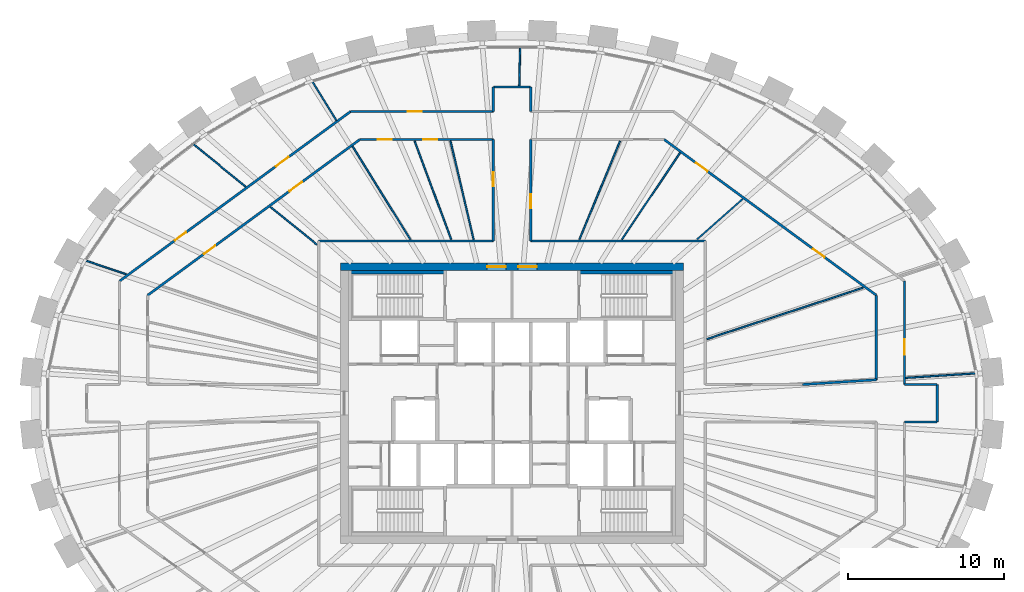
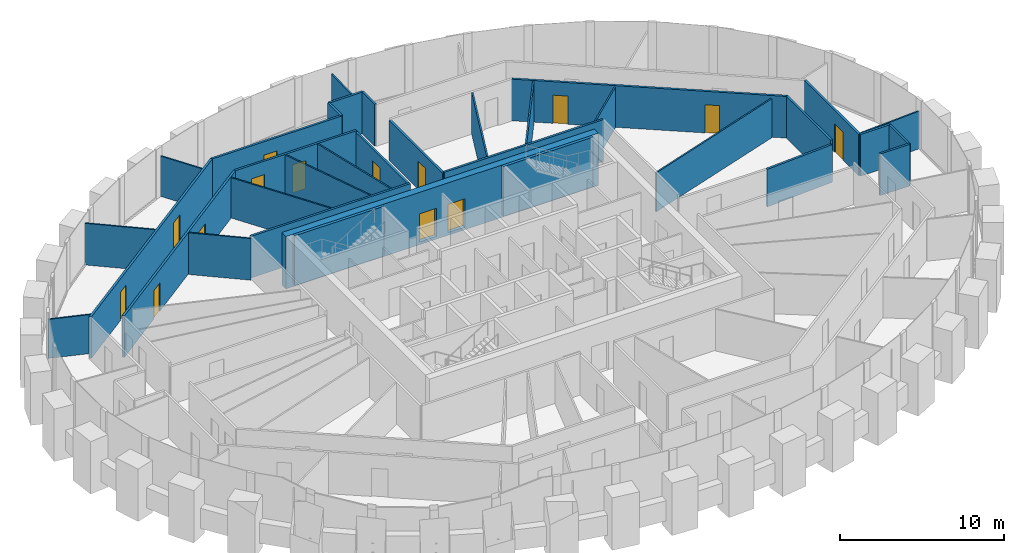
# One storey, part 10 of 12: 34 walls, 14 doors, 14 openings.
"""IFC4 building model written with IfcOpenShell, lengths in metres."""

from ifc_helpers import new_model, si_unit, direction, frame, frame_2d, origin, place, context, subcontext, project, spatial, rectangle, extrude, source, transform, mapped, material, layer, layer_set, type_object, element, fill, save


model = new_model("IFC4")

# Units and contexts
model_context = context("Model", 3, precision=1e-05, world=origin(), true_north=direction((0.0, 1.0)))
body_context = subcontext(model_context, "Body", "Model", "MODEL_VIEW")
ifc_project = project(units=[si_unit("LENGTHUNIT", "METRE"), si_unit("AREAUNIT", "SQUARE_METRE"), si_unit("VOLUMEUNIT", "CUBIC_METRE"), si_unit("PLANEANGLEUNIT", "RADIAN"), si_unit("MASSUNIT", "GRAM", prefix="KILO")], contexts=[model_context])

# Site, building, storey
site_placement = place(None, origin())
site = spatial("IfcSite", under=ifc_project, at=site_placement, CompositionType="ELEMENT")
building_placement = place(site_placement, origin())
building = spatial("IfcBuilding", under=site, at=building_placement, Name="Embergate Tower", CompositionType="ELEMENT")
storey_placement = place(building_placement, frame((0.0, 0.0, 293.5)))
storey = spatial("IfcBuildingStorey", under=building, at=storey_placement, Name="L68", CompositionType="ELEMENT", Elevation=293.5)

# Wall, openings, doors
ifc_material_1 = material(Name="Concrete C50", Category="concrete")
ifc_layer_1 = layer(ifc_material_1, 0.5)
ifc_layer_set_1 = layer_set([ifc_layer_1], Name="Concrete C50")
wall_type_1 = type_object("IfcWallType", Name="Core outer wall C50 500", PredefinedType="SHEAR", material=ifc_layer_set_1)
shared_shape_1 = source(origin(), body_context, "Body", "SweptSolid", [
    extrude(rectangle(XDim=22.0, YDim=0.5, at=frame_2d((11.0, 0.0))), origin(), (0.0, 0.0, 1.0), 3.89990234375),
])
wall_1_placement = place(storey_placement, frame((-11.0, 8.75, -0.199951171875), z_axis=(0.0, 0.0, 1.0), x_axis=(1.0, 0.0, 0.0)))
wall_1 = element("IfcWall", 1, at=wall_1_placement, inside=storey, type_object=wall_type_1, Name="CW-L68-N", PredefinedType="SHEAR", context=body_context, shape_type="MappedRepresentation", body=[
    mapped(shared_shape_1, transform((0.0, 0.0, 0.0))),
])
shared_shape_2 = source(origin(), body_context, "Body", "SweptSolid", [
    extrude(rectangle(XDim=1.199951171875, YDim=2.10009765625, at=frame_2d((0.60009765625, 1.050048828125))), frame((0.0, 0.260009765625, 0.0), z_axis=(0.0, -1.0, 0.0), x_axis=(1.0, 0.0, 0.0)), (0.0, 0.0, 1.0), 0.52001953125),
])
opening_1_placement = place(wall_1_placement, frame((9.39990234375, 0.0, 0.199951171875)))
opening_1 = element("IfcOpeningElement", 2, at=opening_1_placement, cuts=wall_1, Name="Opening IF-1", PredefinedType="OPENING", context=body_context, shape_type="MappedRepresentation", body=[
    mapped(shared_shape_2, transform((0.0, 0.0, 0.0))),
])
opening_2_placement = place(wall_1_placement, frame((11.39990234375, 0.0, 0.199951171875)))
opening_2 = element("IfcOpeningElement", 3, at=opening_2_placement, cuts=wall_1, Name="Opening IF-1", PredefinedType="OPENING", context=body_context, shape_type="MappedRepresentation", body=[
    mapped(shared_shape_2, transform((0.0, 0.0, 0.0))),
])
ifc_material_2 = material(Name="Escape fire door 1200")
door_type_1 = type_object("IfcDoorType", Name="Escape fire door 1200", OperationType="SINGLE_SWING_LEFT", PredefinedType="DOOR", material=ifc_material_2)
shared_shape_3 = source(origin(), body_context, "Body", "SweptSolid", [
    extrude(rectangle(XDim=1.199951171875, YDim=2.10009765625, at=frame_2d((0.60009765625, 1.050048828125))), frame((0.0, 0.02490234375, 0.0), z_axis=(0.0, -1.0, 0.0), x_axis=(1.0, 0.0, 0.0)), (0.0, 0.0, 1.0), 0.050048828125),
])
door_1_placement = place(opening_1_placement, origin())
door_1 = element("IfcDoor", 4, at=door_1_placement, inside=storey, type_object=door_type_1, Name="IF-1 door", OperationType="SINGLE_SWING_LEFT", OverallHeight=2.10009765625, OverallWidth=1.199951171875, PredefinedType="DOOR", context=body_context, shape_type="MappedRepresentation", body=[
    mapped(shared_shape_3, transform((0.0, 0.0, 0.0))),
])
fill(opening_1, door_1)
door_2_placement = place(opening_2_placement, origin())
door_2 = element("IfcDoor", 5, at=door_2_placement, inside=storey, type_object=door_type_1, Name="IF-1 door", OperationType="SINGLE_SWING_RIGHT", OverallHeight=2.10009765625, OverallWidth=1.199951171875, PredefinedType="DOOR", context=body_context, shape_type="MappedRepresentation", body=[
    mapped(shared_shape_3, transform((0.0, 0.0, 0.0))),
])
fill(opening_2, door_2)

# Walls
ifc_layer_2 = layer(ifc_material_1, 0.199951171875)
ifc_layer_set_2 = layer_set([ifc_layer_2], Name="Concrete C50")
wall_type_2 = type_object("IfcWallType", Name="Stair enclosure wall reinforced concrete 250", PredefinedType="SHEAR", material=ifc_layer_set_2)
shared_shape_4 = source(origin(), body_context, "Body", "SweptSolid", [
    extrude(rectangle(XDim=6.298095703125, YDim=0.199951171875, at=frame_2d((3.14892578125, 0.0))), origin(), (0.0, 0.0, 1.0), 3.699951171875),
])
for number, where, z_axis, x_axis, name in (
    (6, (-4.201904296875, 8.39990234375, 0.0), (0.0, 0.0, 1.0), (-1.0, 0.0, 0.0), "SE-1 wall"),
    (7, (10.5, 8.39990234375, 0.0), (0.0, 0.0, 1.0), (-1.0, 0.0, 0.0), "SE-1 wall"),
):
    element("IfcWall", number, at=place(storey_placement, frame(where, z_axis=z_axis, x_axis=x_axis)), inside=storey, type_object=wall_type_2, Name=name, PredefinedType="SHEAR", context=body_context, shape_type="MappedRepresentation", body=[
        mapped(shared_shape_4, transform((0.0, 0.0, 0.0))),
    ])
ifc_material_3 = material(Name="Corridor wall dry-lined 150")
ifc_layer_3 = layer(ifc_material_3, 0.14990234375)
ifc_layer_set_3 = layer_set([ifc_layer_3], Name="Corridor wall dry-lined 150")
wall_type_3 = type_object("IfcWallType", Name="Corridor wall dry-lined 150", PredefinedType="PARTITIONING", material=ifc_layer_set_3)
shared_shape_5 = source(origin(), body_context, "Body", "SweptSolid", [
    extrude(rectangle(XDim=11.199951171875, YDim=0.14990234375, at=frame_2d((5.60009765625, 0.0))), origin(), (0.0, 0.0, 1.0), 3.10009765625),
])
wall_2_placement = place(storey_placement, frame((12.39990234375, 10.39990234375, 0.0), z_axis=(0.0, 0.0, 1.0), x_axis=(-1.0, 0.0, 0.0)))
element("IfcWall", 8, at=wall_2_placement, inside=storey, type_object=wall_type_3, Name="IP-2 wall", PredefinedType="PARTITIONING", context=body_context, shape_type="MappedRepresentation", body=[
    mapped(shared_shape_5, transform((0.0, 0.0, 0.0))),
])
ifc_material_4 = material(Name="Corridor wall dry-lined 150 wet")
ifc_layer_4 = layer(ifc_material_4, 0.14990234375)
ifc_layer_set_4 = layer_set([ifc_layer_4], Name="Corridor wall dry-lined 150 wet")
wall_type_4 = type_object("IfcWallType", Name="Corridor wall dry-lined 150 wet", PredefinedType="PLUMBINGWALL", material=ifc_layer_set_4)
wall_3_placement = place(storey_placement, frame((-12.39990234375, 10.39990234375, 0.0), z_axis=(0.0, 0.0, 1.0), x_axis=(1.0, 0.0, 0.0)))
element("IfcWall", 9, at=wall_3_placement, inside=storey, type_object=wall_type_4, Name="IP-2 wall", PredefinedType="PLUMBINGWALL", context=body_context, shape_type="MappedRepresentation", body=[
    mapped(shared_shape_5, transform((0.0, 0.0, 0.0))),
])
shared_shape_6 = source(origin(), body_context, "Body", "SweptSolid", [
    extrude(rectangle(XDim=2.39990234375, YDim=0.14990234375, at=frame_2d((1.199951171875, 0.0))), origin(), (0.0, 0.0, 1.0), 3.10009765625),
])
wall_4_placement = place(storey_placement, frame((27.264892578125, 1.199951171875, 0.0), z_axis=(0.0, 0.0, 1.0), x_axis=(0.0, -1.0, 0.0)))
element("IfcWall", 10, at=wall_4_placement, inside=storey, type_object=wall_type_3, Name="IP-2 wall", PredefinedType="PARTITIONING", context=body_context, shape_type="MappedRepresentation", body=[
    mapped(shared_shape_6, transform((0.0, 0.0, 0.0))),
])
wall_5_placement = place(storey_placement, frame((-1.199951171875, 20.281005859375, 0.0), z_axis=(0.0, 0.0, 1.0), x_axis=(1.0, 0.0, 0.0)))
element("IfcWall", 11, at=wall_5_placement, inside=storey, type_object=wall_type_4, Name="IP-2 wall", PredefinedType="PLUMBINGWALL", context=body_context, shape_type="MappedRepresentation", body=[
    mapped(shared_shape_6, transform((0.0, 0.0, 0.0))),
])

# Wall, openings, doors
shared_shape_7 = source(origin(), body_context, "Body", "SweptSolid", [
    extrude(rectangle(XDim=18.38427734375, YDim=0.14990234375, at=frame_2d((9.192138671875, 0.0))), origin(), (0.0, 0.0, 1.0), 3.10009765625),
])
wall_6_placement = place(storey_placement, frame((-25.166015625, 7.833984375, 0.0), z_axis=(0.0, 0.0, 1.0), x_axis=(0.80612330372, 0.591747597545, 0.0)))
wall_6 = element("IfcWall", 12, at=wall_6_placement, inside=storey, type_object=wall_type_4, Name="IP-2 wall", PredefinedType="PLUMBINGWALL", context=body_context, shape_type="MappedRepresentation", body=[
    mapped(shared_shape_7, transform((0.0, 0.0, 0.0))),
])
shared_shape_8 = source(origin(), body_context, "Body", "SweptSolid", [
    extrude(rectangle(XDim=1.0, YDim=2.10009765625, at=frame_2d((0.5, 1.050048828125))), frame((0.0, 0.0849609375, 0.0), z_axis=(0.0, -1.0, 0.0), x_axis=(1.0, 0.0, 0.0)), (0.0, 0.0, 1.0), 0.169921875),
])
opening_3_placement = place(wall_6_placement, frame((12.43115234375, 0.0, 0.0)))
opening_3 = element("IfcOpeningElement", 13, at=opening_3_placement, cuts=wall_6, Name="Opening ID-2", PredefinedType="OPENING", context=body_context, shape_type="MappedRepresentation", body=[
    mapped(shared_shape_8, transform((0.0, 0.0, 0.0))),
])
shared_shape_9 = source(origin(), body_context, "Body", "SweptSolid", [
    extrude(rectangle(XDim=0.89990234375, YDim=2.10009765625, at=frame_2d((0.449951171875, 1.050048828125))), frame((0.0, 0.0849609375, 0.0), z_axis=(0.0, -1.0, 0.0), x_axis=(1.0, 0.0, 0.0)), (0.0, 0.0, 1.0), 0.169921875),
])
opening_4_placement = place(wall_6_placement, frame((4.39111328125, 0.0, 0.0)))
opening_4 = element("IfcOpeningElement", 14, at=opening_4_placement, cuts=wall_6, Name="Opening IF-1c", PredefinedType="OPENING", context=body_context, shape_type="MappedRepresentation", body=[
    mapped(shared_shape_9, transform((0.0, 0.0, 0.0))),
])
ifc_material_5 = material(Name="Escape fire door 900")
door_type_2 = type_object("IfcDoorType", Name="Escape fire door 900", OperationType="SINGLE_SWING_LEFT", PredefinedType="DOOR", material=ifc_material_5)
shared_shape_10 = source(origin(), body_context, "Body", "SweptSolid", [
    extrude(rectangle(XDim=0.89990234375, YDim=2.10009765625, at=frame_2d((0.449951171875, 1.050048828125))), frame((0.0, 0.02490234375, 0.0), z_axis=(0.0, -1.0, 0.0), x_axis=(1.0, 0.0, 0.0)), (0.0, 0.0, 1.0), 0.050048828125),
])
door_3_placement = place(opening_4_placement, origin())
door_3 = element("IfcDoor", 15, at=door_3_placement, inside=storey, type_object=door_type_2, Name="IF-1 door", OperationType="SINGLE_SWING_LEFT", OverallHeight=2.10009765625, OverallWidth=0.89990234375, PredefinedType="DOOR", context=body_context, shape_type="MappedRepresentation", body=[
    mapped(shared_shape_10, transform((0.0, 0.0, 0.0))),
])
fill(opening_4, door_3)
ifc_material_6 = material(Name="Interior door 1000")
door_type_3 = type_object("IfcDoorType", Name="Interior door 1000", OperationType="SINGLE_SWING_LEFT", PredefinedType="DOOR", material=ifc_material_6)
shared_shape_11 = source(origin(), body_context, "Body", "SweptSolid", [
    extrude(rectangle(XDim=1.0, YDim=2.10009765625, at=frame_2d((0.5, 1.050048828125))), frame((0.0, 0.02490234375, 0.0), z_axis=(0.0, -1.0, 0.0), x_axis=(1.0, 0.0, 0.0)), (0.0, 0.0, 1.0), 0.050048828125),
])
door_4_placement = place(opening_3_placement, origin())
door_4 = element("IfcDoor", 16, at=door_4_placement, inside=storey, type_object=door_type_3, Name="ID-2 door", OperationType="SINGLE_SWING_LEFT", OverallHeight=2.10009765625, OverallWidth=1.0, PredefinedType="DOOR", context=body_context, shape_type="MappedRepresentation", body=[
    mapped(shared_shape_11, transform((0.0, 0.0, 0.0))),
])
fill(opening_3, door_4)

shared_shape_12 = source(origin(), body_context, "Body", "SweptSolid", [
    extrude(rectangle(XDim=16.8828125, YDim=0.14990234375, at=frame_2d((8.44140625, 0.0))), origin(), (0.0, 0.0, 1.0), 3.10009765625),
])
wall_7_placement = place(storey_placement, frame((9.756103515625, 16.9130859375, 0.0), z_axis=(0.0, 0.0, 1.0), x_axis=(0.806138724475, -0.591726589653, 0.0)))
wall_7 = element("IfcWall", 17, at=wall_7_placement, inside=storey, type_object=wall_type_3, Name="IP-2 wall", PredefinedType="PARTITIONING", context=body_context, shape_type="MappedRepresentation", body=[
    mapped(shared_shape_12, transform((0.0, 0.0, 0.0))),
])
opening_5_placement = place(wall_7_placement, frame((11.855712890625, 0.0, 0.0)))
opening_5 = element("IfcOpeningElement", 18, at=opening_5_placement, cuts=wall_7, Name="Opening IF-1c", PredefinedType="OPENING", context=body_context, shape_type="MappedRepresentation", body=[
    mapped(shared_shape_9, transform((0.0, 0.0, 0.0))),
])
opening_6_placement = place(wall_7_placement, frame((2.535400390625, 0.0, 0.0)))
opening_6 = element("IfcOpeningElement", 19, at=opening_6_placement, cuts=wall_7, Name="Opening IF-1c", PredefinedType="OPENING", context=body_context, shape_type="MappedRepresentation", body=[
    mapped(shared_shape_9, transform((0.0, 0.0, 0.0))),
])
door_5_placement = place(opening_5_placement, origin())
door_5 = element("IfcDoor", 20, at=door_5_placement, inside=storey, type_object=door_type_2, Name="IF-1 door", OperationType="SINGLE_SWING_RIGHT", OverallHeight=2.10009765625, OverallWidth=0.89990234375, PredefinedType="DOOR", context=body_context, shape_type="MappedRepresentation", body=[
    mapped(shared_shape_10, transform((0.0, 0.0, 0.0))),
])
fill(opening_5, door_5)
door_6_placement = place(opening_6_placement, origin())
door_6 = element("IfcDoor", 21, at=door_6_placement, inside=storey, type_object=door_type_2, Name="IF-1 door", OperationType="SINGLE_SWING_RIGHT", OverallHeight=2.10009765625, OverallWidth=0.89990234375, PredefinedType="DOOR", context=body_context, shape_type="MappedRepresentation", body=[
    mapped(shared_shape_10, transform((0.0, 0.0, 0.0))),
])
fill(opening_6, door_6)

wall_8_placement = place(storey_placement, frame((-9.756103515625, 16.9130859375, 0.0), z_axis=(0.0, 0.0, 1.0), x_axis=(-0.806138724475, -0.591726589653, 0.0)))
wall_8 = element("IfcWall", 22, at=wall_8_placement, inside=storey, type_object=wall_type_4, Name="IP-2 wall", PredefinedType="PLUMBINGWALL", context=body_context, shape_type="MappedRepresentation", body=[
    mapped(shared_shape_12, transform((0.0, 0.0, 0.0))),
])
opening_7_placement = place(wall_8_placement, frame((4.610595703125, 0.0, 0.0)))
opening_7 = element("IfcOpeningElement", 23, at=opening_7_placement, cuts=wall_8, Name="Opening ID-2", PredefinedType="OPENING", context=body_context, shape_type="MappedRepresentation", body=[
    mapped(shared_shape_8, transform((0.0, 0.0, 0.0))),
])
opening_8_placement = place(wall_8_placement, frame((11.504638671875, 0.0, 0.0)))
opening_8 = element("IfcOpeningElement", 24, at=opening_8_placement, cuts=wall_8, Name="Opening IF-1c", PredefinedType="OPENING", context=body_context, shape_type="MappedRepresentation", body=[
    mapped(shared_shape_9, transform((0.0, 0.0, 0.0))),
])
door_7_placement = place(opening_8_placement, origin())
door_7 = element("IfcDoor", 25, at=door_7_placement, inside=storey, type_object=door_type_2, Name="IF-1 door", OperationType="SINGLE_SWING_RIGHT", OverallHeight=2.10009765625, OverallWidth=0.89990234375, PredefinedType="DOOR", context=body_context, shape_type="MappedRepresentation", body=[
    mapped(shared_shape_10, transform((0.0, 0.0, 0.0))),
])
fill(opening_8, door_7)
door_8_placement = place(opening_7_placement, origin())
door_8 = element("IfcDoor", 26, at=door_8_placement, inside=storey, type_object=door_type_3, Name="ID-2 door", OperationType="SINGLE_SWING_LEFT", OverallHeight=2.10009765625, OverallWidth=1.0, PredefinedType="DOOR", context=body_context, shape_type="MappedRepresentation", body=[
    mapped(shared_shape_11, transform((0.0, 0.0, 0.0))),
])
fill(opening_7, door_8)

# Wall, opening, door
shared_shape_13 = source(origin(), body_context, "Body", "SweptSolid", [
    extrude(rectangle(XDim=9.14599609375, YDim=0.14990234375, at=frame_2d((4.572998046875, 0.0))), origin(), (0.0, 0.0, 1.0), 3.10009765625),
])
wall_9_placement = place(storey_placement, frame((-10.345947265625, 18.712890625, 0.0), z_axis=(0.0, 0.0, 1.0), x_axis=(1.0, 0.0, 0.0)))
wall_9 = element("IfcWall", 27, at=wall_9_placement, inside=storey, type_object=wall_type_4, Name="IP-2 wall", PredefinedType="PLUMBINGWALL", context=body_context, shape_type="MappedRepresentation", body=[
    mapped(shared_shape_13, transform((0.0, 0.0, 0.0))),
])
opening_9_placement = place(wall_9_placement, frame((3.6640625, 0.0, 0.0)))
opening_9 = element("IfcOpeningElement", 28, at=opening_9_placement, cuts=wall_9, Name="Opening IF-1c", PredefinedType="OPENING", context=body_context, shape_type="MappedRepresentation", body=[
    mapped(shared_shape_9, transform((0.0, 0.0, 0.0))),
])
door_9_placement = place(opening_9_placement, origin())
door_9 = element("IfcDoor", 29, at=door_9_placement, inside=storey, type_object=door_type_2, Name="IF-1 door", OperationType="SINGLE_SWING_LEFT", OverallHeight=2.10009765625, OverallWidth=0.89990234375, PredefinedType="DOOR", context=body_context, shape_type="MappedRepresentation", body=[
    mapped(shared_shape_10, transform((0.0, 0.0, 0.0))),
])
fill(opening_9, door_9)

# Walls
shared_shape_14 = source(origin(), body_context, "Body", "SweptSolid", [
    extrude(rectangle(XDim=1.568115234375, YDim=0.14990234375, at=frame_2d((0.7841796875, 0.0))), origin(), (0.0, 0.0, 1.0), 3.10009765625),
])
for number, where, z_axis, x_axis, name in (
    (30, (1.199951171875, 20.281005859375, 0.0), (0.0, 0.0, 1.0), (0.0, -1.0, 0.0), "IP-2 wall"),
    (31, (-1.199951171875, 18.712890625, 0.0), (0.0, 0.0, 1.0), (0.0, 1.0, 0.0), "IP-2 wall"),
):
    element("IfcWall", number, at=place(storey_placement, frame(where, z_axis=z_axis, x_axis=x_axis)), inside=storey, type_object=wall_type_4, Name=name, PredefinedType="PLUMBINGWALL", context=body_context, shape_type="MappedRepresentation", body=[
        mapped(shared_shape_14, transform((0.0, 0.0, 0.0))),
    ])

# Wall, openings, doors
shared_shape_15 = source(origin(), body_context, "Body", "SweptSolid", [
    extrude(rectangle(XDim=8.55615234375, YDim=0.14990234375, at=frame_2d((4.278076171875, 0.0))), origin(), (0.0, 0.0, 1.0), 3.10009765625),
])
wall_10_placement = place(storey_placement, frame((-1.199951171875, 16.9130859375, 0.0), z_axis=(0.0, 0.0, 1.0), x_axis=(-1.0, 0.0, 0.0)))
wall_10 = element("IfcWall", 32, at=wall_10_placement, inside=storey, type_object=wall_type_4, Name="IP-2 wall", PredefinedType="PLUMBINGWALL", context=body_context, shape_type="MappedRepresentation", body=[
    mapped(shared_shape_15, transform((0.0, 0.0, 0.0))),
])
opening_10_placement = place(wall_10_placement, frame((3.5869140625, 0.0, 0.0)))
opening_10 = element("IfcOpeningElement", 33, at=opening_10_placement, cuts=wall_10, Name="Opening IF-1c", PredefinedType="OPENING", context=body_context, shape_type="MappedRepresentation", body=[
    mapped(shared_shape_9, transform((0.0, 0.0, 0.0))),
])
opening_11_placement = place(wall_10_placement, frame((6.507080078125, 0.0, 0.0)))
opening_11 = element("IfcOpeningElement", 34, at=opening_11_placement, cuts=wall_10, Name="Opening IF-1c", PredefinedType="OPENING", context=body_context, shape_type="MappedRepresentation", body=[
    mapped(shared_shape_9, transform((0.0, 0.0, 0.0))),
])
door_10_placement = place(opening_10_placement, origin())
door_10 = element("IfcDoor", 35, at=door_10_placement, inside=storey, type_object=door_type_2, Name="IF-1 door", OperationType="SINGLE_SWING_LEFT", OverallHeight=2.10009765625, OverallWidth=0.89990234375, PredefinedType="DOOR", context=body_context, shape_type="MappedRepresentation", body=[
    mapped(shared_shape_10, transform((0.0, 0.0, 0.0))),
])
fill(opening_10, door_10)
door_11_placement = place(opening_11_placement, origin())
door_11 = element("IfcDoor", 36, at=door_11_placement, inside=storey, type_object=door_type_2, Name="IF-1 door", OperationType="SINGLE_SWING_LEFT", OverallHeight=2.10009765625, OverallWidth=0.89990234375, PredefinedType="DOOR", context=body_context, shape_type="MappedRepresentation", body=[
    mapped(shared_shape_10, transform((0.0, 0.0, 0.0))),
])
fill(opening_11, door_11)

# Wall, opening, door
shared_shape_16 = source(origin(), body_context, "Body", "SweptSolid", [
    extrude(rectangle(XDim=6.51318359375, YDim=0.14990234375, at=frame_2d((3.256591796875, 0.0))), origin(), (0.0, 0.0, 1.0), 3.0),
])
wall_11_placement = place(storey_placement, frame((-1.199951171875, 10.39990234375, 0.0), z_axis=(0.0, 0.0, 1.0), x_axis=(0.0, 1.0, 0.0)))
wall_11 = element("IfcWall", 37, at=wall_11_placement, inside=storey, type_object=wall_type_4, Name="IP-2 wall", PredefinedType="PLUMBINGWALL", context=body_context, shape_type="MappedRepresentation", body=[
    mapped(shared_shape_16, transform((0.0, 0.0, 0.0))),
])
opening_12_placement = place(wall_11_placement, frame((3.509033203125, 0.0, 0.0)))
opening_12 = element("IfcOpeningElement", 38, at=opening_12_placement, cuts=wall_11, Name="Opening IF-1c", PredefinedType="OPENING", context=body_context, shape_type="MappedRepresentation", body=[
    mapped(shared_shape_9, transform((0.0, 0.0, 0.0))),
])
door_12_placement = place(opening_12_placement, origin())
door_12 = element("IfcDoor", 39, at=door_12_placement, inside=storey, type_object=door_type_2, Name="IF-1 door", OperationType="SINGLE_SWING_LEFT", OverallHeight=2.10009765625, OverallWidth=0.89990234375, PredefinedType="DOOR", context=body_context, shape_type="MappedRepresentation", body=[
    mapped(shared_shape_10, transform((0.0, 0.0, 0.0))),
])
fill(opening_12, door_12)

wall_12_placement = place(storey_placement, frame((1.199951171875, 16.9130859375, 0.0), z_axis=(0.0, 0.0, 1.0), x_axis=(0.0, -1.0, 0.0)))
wall_12 = element("IfcWall", 40, at=wall_12_placement, inside=storey, type_object=wall_type_4, Name="IP-2 wall", PredefinedType="PLUMBINGWALL", context=body_context, shape_type="MappedRepresentation", body=[
    mapped(shared_shape_16, transform((0.0, 0.0, 0.0))),
])
opening_13_placement = place(wall_12_placement, frame((3.50830078125, 0.0, 0.0)))
opening_13 = element("IfcOpeningElement", 41, at=opening_13_placement, cuts=wall_12, Name="Opening IF-1c", PredefinedType="OPENING", context=body_context, shape_type="MappedRepresentation", body=[
    mapped(shared_shape_9, transform((0.0, 0.0, 0.0))),
])
door_13_placement = place(opening_13_placement, origin())
door_13 = element("IfcDoor", 42, at=door_13_placement, inside=storey, type_object=door_type_2, Name="IF-1 door", OperationType="SINGLE_SWING_LEFT", OverallHeight=2.10009765625, OverallWidth=0.89990234375, PredefinedType="DOOR", context=body_context, shape_type="MappedRepresentation", body=[
    mapped(shared_shape_10, transform((0.0, 0.0, 0.0))),
])
fill(opening_13, door_13)

shared_shape_17 = source(origin(), body_context, "Body", "SweptSolid", [
    extrude(rectangle(XDim=6.634033203125, YDim=0.14990234375, at=frame_2d((3.31689453125, 0.0))), origin(), (0.0, 0.0, 1.0), 3.10009765625),
])
wall_13_placement = place(storey_placement, frame((25.166015625, 7.833984375, 0.0), z_axis=(0.0, 0.0, 1.0), x_axis=(0.0, -1.0, 0.0)))
wall_13 = element("IfcWall", 43, at=wall_13_placement, inside=storey, type_object=wall_type_3, Name="IP-2 wall", PredefinedType="PARTITIONING", context=body_context, shape_type="MappedRepresentation", body=[
    mapped(shared_shape_17, transform((0.0, 0.0, 0.0))),
])
opening_14_placement = place(wall_13_placement, frame((3.71630859375, 0.0, 0.0)))
opening_14 = element("IfcOpeningElement", 44, at=opening_14_placement, cuts=wall_13, Name="Opening ID-2", PredefinedType="OPENING", context=body_context, shape_type="MappedRepresentation", body=[
    mapped(shared_shape_8, transform((0.0, 0.0, 0.0))),
])
door_14_placement = place(opening_14_placement, origin())
door_14 = element("IfcDoor", 45, at=door_14_placement, inside=storey, type_object=door_type_3, Name="ID-2 door", OperationType="SINGLE_SWING_LEFT", OverallHeight=2.10009765625, OverallWidth=1.0, PredefinedType="DOOR", context=body_context, shape_type="MappedRepresentation", body=[
    mapped(shared_shape_11, transform((0.0, 0.0, 0.0))),
])
fill(opening_14, door_14)

# Walls
shared_shape_18 = source(origin(), body_context, "Body", "SweptSolid", [
    extrude(rectangle(XDim=2.098876953125, YDim=0.14990234375, at=frame_2d((1.04931640625, 0.0))), origin(), (0.0, 0.0, 1.0), 3.10009765625),
])
for number, where, z_axis, x_axis, name in (
    (46, (25.166015625, 1.199951171875, 0.0), (0.0, 0.0, 1.0), (1.0, 0.0, 0.0), "IP-2 wall"),
    (47, (27.264892578125, -1.199951171875, 0.0), (0.0, 0.0, 1.0), (-1.0, 0.0, 0.0), "IP-2 wall"),
):
    element("IfcWall", number, at=place(storey_placement, frame(where, z_axis=z_axis, x_axis=x_axis)), inside=storey, type_object=wall_type_3, Name=name, PredefinedType="PARTITIONING", context=body_context, shape_type="MappedRepresentation", body=[
        mapped(shared_shape_18, transform((0.0, 0.0, 0.0))),
    ])
shared_shape_19 = source(origin(), body_context, "Body", "SweptSolid", [
    extrude(rectangle(XDim=5.418212890625, YDim=0.14990234375, at=frame_2d((2.708984375, 0.0))), origin(), (0.0, 0.0, 1.0), 3.10009765625),
])
wall_14_placement = place(storey_placement, frame((23.365966796875, 6.923095703125, 0.0), z_axis=(0.0, 0.0, 1.0), x_axis=(0.0, -1.0, 0.0)))
element("IfcWall", 48, at=wall_14_placement, inside=storey, type_object=wall_type_3, Name="IP-2 wall", PredefinedType="PARTITIONING", context=body_context, shape_type="MappedRepresentation", body=[
    mapped(shared_shape_19, transform((0.0, 0.0, 0.0))),
])
shared_shape_20 = source(origin(), body_context, "Body", "SweptSolid", [
    extrude(rectangle(XDim=4.750732421875, YDim=0.14990234375, at=frame_2d((2.37548828125, 0.0))), origin(), (0.0, 0.0, 1.0), 2.800048828125),
])
wall_15_placement = place(storey_placement, frame((23.365966796875, 1.5048828125, 0.0), z_axis=(0.0, 0.0, 1.0), x_axis=(-0.997937964, -0.06418582404, 0.0)))
element("IfcWall", 49, at=wall_15_placement, inside=storey, type_object=wall_type_3, Name="IP-2 wall", PredefinedType="PARTITIONING", context=body_context, shape_type="MappedRepresentation", body=[
    mapped(shared_shape_20, transform((0.0, 0.0, 0.0))),
])
ifc_material_7 = material(Name="Partition dry-lined 100")
ifc_layer_5 = layer(ifc_material_7, 0.10009765625)
ifc_layer_set_5 = layer_set([ifc_layer_5], Name="Partition dry-lined 100")
wall_type_5 = type_object("IfcWallType", Name="Partition dry-lined 100", PredefinedType="PARTITIONING", material=ifc_layer_set_5)
shared_shape_21 = source(origin(), body_context, "Body", "SweptSolid", [
    extrude(rectangle(XDim=2.763671875, YDim=0.10009765625, at=frame_2d((1.3818359375, 0.0))), origin(), (0.0, 0.0, 1.0), 2.89990234375),
])
wall_16_placement = place(storey_placement, frame((-24.743896484375, 8.27294921875, 0.0), z_axis=(0.0, 0.0, 1.0), x_axis=(-0.948435651282, 0.316969738897, 0.0)))
element("IfcWall", 50, at=wall_16_placement, inside=storey, type_object=wall_type_5, Name="IP-1 wall", PredefinedType="PARTITIONING", context=body_context, shape_type="MappedRepresentation", body=[
    mapped(shared_shape_21, transform((0.0, 0.0, 0.0))),
])
ifc_material_8 = material(Name="Partition dry-lined 100 wet")
ifc_layer_6 = layer(ifc_material_8, 0.10009765625)
ifc_layer_set_6 = layer_set([ifc_layer_6], Name="Partition dry-lined 100 wet")
wall_type_6 = type_object("IfcWallType", Name="Partition dry-lined 100 wet", PredefinedType="PLUMBINGWALL", material=ifc_layer_set_6)
shared_shape_22 = source(origin(), body_context, "Body", "SweptSolid", [
    extrude(rectangle(XDim=2.969482421875, YDim=0.10009765625, at=frame_2d((1.48486328125, 0.0))), origin(), (0.0, 0.0, 1.0), 3.0),
])
wall_17_placement = place(storey_placement, frame((-11.259033203125, 18.135986328125, 0.0), z_axis=(0.0, 0.0, 1.0), x_axis=(-0.527350581852, 0.849647788098, 0.0)))
element("IfcWall", 51, at=wall_17_placement, inside=storey, type_object=wall_type_6, Name="IP-1 wall", PredefinedType="PLUMBINGWALL", context=body_context, shape_type="MappedRepresentation", body=[
    mapped(shared_shape_22, transform((0.0, 0.0, 0.0))),
])
shared_shape_23 = source(origin(), body_context, "Body", "SweptSolid", [
    extrude(rectangle(XDim=7.03125, YDim=0.10009765625, at=frame_2d((3.515625, 0.0))), origin(), (0.0, 0.0, 1.0), 3.0),
])
wall_18_placement = place(storey_placement, frame((-6.51904296875, 10.5009765625, 0.0), z_axis=(0.0, 0.0, 1.0), x_axis=(-0.527355947188, 0.849644457973, 0.0)))
element("IfcWall", 52, at=wall_18_placement, inside=storey, type_object=wall_type_6, Name="IP-1 wall", PredefinedType="PLUMBINGWALL", context=body_context, shape_type="MappedRepresentation", body=[
    mapped(shared_shape_23, transform((0.0, 0.0, 0.0))),
])
shared_shape_24 = source(origin(), body_context, "Body", "SweptSolid", [
    extrude(rectangle(XDim=4.52734375, YDim=0.10009765625, at=frame_2d((2.263671875, 0.0))), origin(), (0.0, 0.0, 1.0), 2.800048828125),
])
wall_19_placement = place(storey_placement, frame((25.240966796875, 1.6259765625, 0.0), z_axis=(0.0, 0.0, 1.0), x_axis=(0.997932009228, 0.064278339728, 0.0)))
element("IfcWall", 53, at=wall_19_placement, inside=storey, type_object=wall_type_5, Name="IP-1 wall", PredefinedType="PARTITIONING", context=body_context, shape_type="MappedRepresentation", body=[
    mapped(shared_shape_24, transform((0.0, 0.0, 0.0))),
])
shared_shape_25 = source(origin(), body_context, "Body", "SweptSolid", [
    extrude(rectangle(XDim=10.56103515625, YDim=0.10009765625, at=frame_2d((5.280517578125, 0.0))), origin(), (0.0, 0.0, 1.0), 2.89990234375),
])
wall_20_placement = place(storey_placement, frame((12.490966796875, 4.111083984375, 0.0), z_axis=(0.0, 0.0, 1.0), x_axis=(0.949896803955, 0.312563692446, 0.0)))
element("IfcWall", 54, at=wall_20_placement, inside=storey, type_object=wall_type_5, Name="IP-1 wall", PredefinedType="PARTITIONING", context=body_context, shape_type="MappedRepresentation", body=[
    mapped(shared_shape_25, transform((0.0, 0.0, 0.0))),
])
shared_shape_26 = source(origin(), body_context, "Body", "SweptSolid", [
    extrude(rectangle(XDim=3.90966796875, YDim=0.10009765625, at=frame_2d((1.954833984375, 0.0))), origin(), (0.0, 0.0, 1.0), 3.0),
])
wall_21_placement = place(storey_placement, frame((11.8740234375, 10.511962890625, 0.0), z_axis=(0.0, 0.0, 1.0), x_axis=(0.748644851507, 0.662971256022, 0.0)))
element("IfcWall", 55, at=wall_21_placement, inside=storey, type_object=wall_type_6, Name="IP-1 wall", PredefinedType="PLUMBINGWALL", context=body_context, shape_type="MappedRepresentation", body=[
    mapped(shared_shape_26, transform((0.0, 0.0, 0.0))),
])
shared_shape_27 = source(origin(), body_context, "Body", "SweptSolid", [
    extrude(rectangle(XDim=2.520751953125, YDim=0.10009765625, at=frame_2d((1.26025390625, 0.0))), origin(), (0.0, 0.0, 1.0), 3.10009765625),
])
wall_22_placement = place(storey_placement, frame((0.465087890625, 20.35595703125, 0.0), z_axis=(0.0, 0.0, 1.0), x_axis=(0.022954616587, 0.999736508075, 0.0)))
element("IfcWall", 56, at=wall_22_placement, inside=storey, type_object=wall_type_6, Name="IP-1 wall", PredefinedType="PLUMBINGWALL", context=body_context, shape_type="MappedRepresentation", body=[
    mapped(shared_shape_27, transform((0.0, 0.0, 0.0))),
])
shared_shape_28 = source(origin(), body_context, "Body", "SweptSolid", [
    extrude(rectangle(XDim=6.512939453125, YDim=0.10009765625, at=frame_2d((3.25634765625, 0.0))), origin(), (0.0, 0.0, 1.0), 3.10009765625),
])
wall_23_placement = place(storey_placement, frame((-2.458984375, 10.486083984375, 0.0), z_axis=(0.0, 0.0, 1.0), x_axis=(-0.228326793912, 0.97358454958, 0.0)))
element("IfcWall", 57, at=wall_23_placement, inside=storey, type_object=wall_type_6, Name="IP-1 wall", PredefinedType="PLUMBINGWALL", context=body_context, shape_type="MappedRepresentation", body=[
    mapped(shared_shape_28, transform((0.0, 0.0, 0.0))),
])
shared_shape_29 = source(origin(), body_context, "Body", "SweptSolid", [
    extrude(rectangle(XDim=6.751220703125, YDim=0.10009765625, at=frame_2d((3.37548828125, 0.0))), origin(), (0.0, 0.0, 1.0), 3.10009765625),
])
wall_24_placement = place(storey_placement, frame((-3.89599609375, 10.491943359375, 0.0), z_axis=(0.0, 0.0, 1.0), x_axis=(-0.348093918302, 0.937459665288, 0.0)))
element("IfcWall", 58, at=wall_24_placement, inside=storey, type_object=wall_type_6, Name="IP-1 wall", PredefinedType="PLUMBINGWALL", context=body_context, shape_type="MappedRepresentation", body=[
    mapped(shared_shape_29, transform((0.0, 0.0, 0.0))),
])
shared_shape_30 = source(origin(), body_context, "Body", "SweptSolid", [
    extrude(rectangle(XDim=6.70166015625, YDim=0.10009765625, at=frame_2d((3.350830078125, 0.0))), origin(), (0.0, 0.0, 1.0), 3.10009765625),
])
wall_25_placement = place(storey_placement, frame((7.047119140625, 10.5029296875, 0.0), z_axis=(0.0, 0.0, 1.0), x_axis=(0.557152569059, 0.830410148536, 0.0)))
element("IfcWall", 59, at=wall_25_placement, inside=storey, type_object=wall_type_6, Name="IP-1 wall", PredefinedType="PLUMBINGWALL", context=body_context, shape_type="MappedRepresentation", body=[
    mapped(shared_shape_30, transform((0.0, 0.0, 0.0))),
])
shared_shape_31 = source(origin(), body_context, "Body", "SweptSolid", [
    extrude(rectangle(XDim=6.841064453125, YDim=0.10009765625, at=frame_2d((3.42041015625, 0.0))), origin(), (0.0, 0.0, 1.0), 3.10009765625),
])
wall_26_placement = place(storey_placement, frame((4.322998046875, 10.493896484375, 0.0), z_axis=(0.0, 0.0, 1.0), x_axis=(0.380932883168, 0.924602692253, 0.0)))
element("IfcWall", 60, at=wall_26_placement, inside=storey, type_object=wall_type_6, Name="IP-1 wall", PredefinedType="PLUMBINGWALL", context=body_context, shape_type="MappedRepresentation", body=[
    mapped(shared_shape_31, transform((0.0, 0.0, 0.0))),
])
shared_shape_32 = source(origin(), body_context, "Body", "SweptSolid", [
    extrude(rectangle(XDim=4.380126953125, YDim=0.10009765625, at=frame_2d((2.18994140625, 0.0))), origin(), (0.0, 0.0, 1.0), 3.10009765625),
])
wall_27_placement = place(storey_placement, frame((-17.073974609375, 13.883056640625, 0.0), z_axis=(0.0, 0.0, 1.0), x_axis=(-0.775769485548, 0.631016406516, 0.0)))
element("IfcWall", 61, at=wall_27_placement, inside=storey, type_object=wall_type_5, Name="IP-1 wall", PredefinedType="PARTITIONING", context=body_context, shape_type="MappedRepresentation", body=[
    mapped(shared_shape_32, transform((0.0, 0.0, 0.0))),
])
shared_shape_33 = source(origin(), body_context, "Body", "SweptSolid", [
    extrude(rectangle(XDim=3.844970703125, YDim=0.10009765625, at=frame_2d((1.92236328125, 0.0))), origin(), (0.0, 0.0, 1.0), 3.10009765625),
])
wall_28_placement = place(storey_placement, frame((-12.507080078125, 10.1689453125, 0.0), z_axis=(0.0, 0.0, 1.0), x_axis=(-0.775807030677, 0.630970245853, 0.0)))
element("IfcWall", 62, at=wall_28_placement, inside=storey, type_object=wall_type_5, Name="IP-1 wall", PredefinedType="PARTITIONING", context=body_context, shape_type="MappedRepresentation", body=[
    mapped(shared_shape_33, transform((0.0, 0.0, 0.0))),
])

save(model, "model.ifc")
